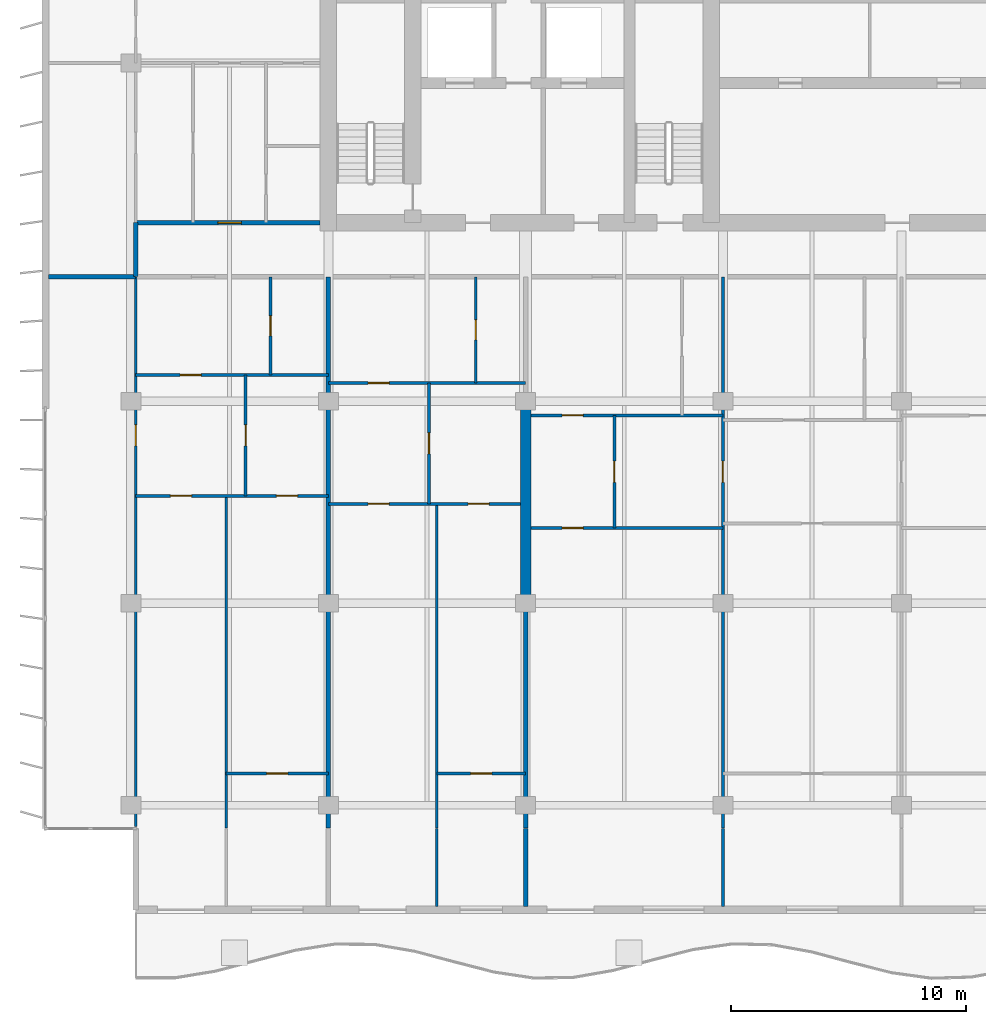
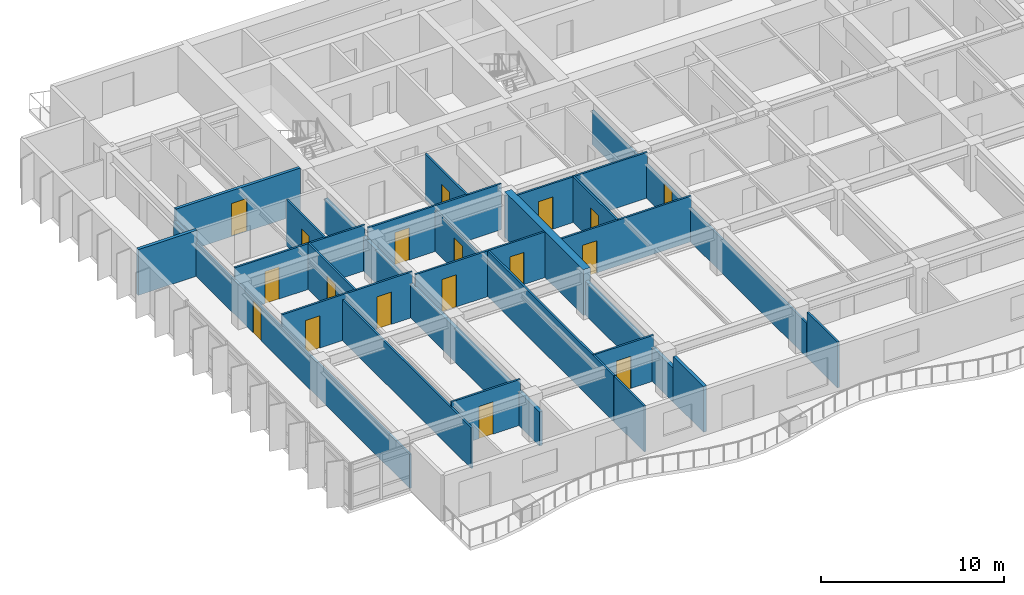
# One storey, part 7 of 16: 26 walls, 18 doors, 18 openings.
"""IFC4 building model written with IfcOpenShell, lengths in metres."""

from ifc_helpers import new_model, si_unit, direction, frame, frame_2d, origin, place, context, subcontext, project, spatial, rectangle, extrude, material, layer, layer_set, type_object, element, fill, save


model = new_model("IFC4")

# Units and contexts
model_context = context("Model", 3, precision=1e-05, world=origin(), true_north=direction((0.0, 1.0)))
body_context = subcontext(model_context, "Body", "Model", "MODEL_VIEW")
ifc_project = project(units=[si_unit("LENGTHUNIT", "METRE"), si_unit("AREAUNIT", "SQUARE_METRE"), si_unit("VOLUMEUNIT", "CUBIC_METRE"), si_unit("PLANEANGLEUNIT", "RADIAN"), si_unit("MASSUNIT", "GRAM", prefix="KILO")], contexts=[model_context])

# Site, building, storey
site_placement = place(None, origin())
site = spatial("IfcSite", under=ifc_project, at=site_placement, CompositionType="ELEMENT")
building_placement = place(site_placement, origin())
building = spatial("IfcBuilding", under=site, at=building_placement, Name="Caelmar Bay Residences", CompositionType="ELEMENT")
storey_placement = place(building_placement, frame((0.0, 0.0, 198.300048828125)))
storey = spatial("IfcBuildingStorey", under=building, at=storey_placement, Name="L55", CompositionType="ELEMENT", Elevation=198.300048828125)

# Walls
ifc_material_1 = material(Name="Concrete f'c 55 MPa (8,000 psi)", Category="concrete")
ifc_layer_1 = layer(ifc_material_1, 0.449951171875)
ifc_layer_set_1 = layer_set([ifc_layer_1], Name="Concrete f'c 55 MPa (8,000 psi)")
wall_type_1 = type_object("IfcWallType", Name="SW-XSLB-450", PredefinedType="SHEAR", material=ifc_layer_set_1)
wall_1_placement = place(storey_placement, frame((26.699951171875, 20.800048828125, 0.0), z_axis=(0.0, 0.0, 1.0), x_axis=(0.0, 1.0, 0.0)))
element("IfcWall", 1, at=wall_1_placement, inside=storey, type_object=wall_type_1, Name="L55 Transverse Cross-Slab Shear Wall W5", PredefinedType="SHEAR", context=body_context, shape_type="SweptSolid", body=[
    extrude(rectangle(XDim=8.599853515625, YDim=0.449951171875, at=frame_2d((4.2998046875, 0.0))), origin(), (0.0, 0.0, 1.0), 3.050048828125),
])
ifc_material_2 = material(Name="Double-stud acoustic fire-rated gypsum partition 180 mm")
ifc_layer_2 = layer(ifc_material_2, 0.179931640625)
ifc_layer_set_2 = layer_set([ifc_layer_2], Name="Double-stud acoustic fire-rated gypsum partition 180 mm")
wall_type_2 = type_object("IfcWallType", Name="W-COR-200", PredefinedType="PARTITIONING", material=ifc_layer_set_2)
wall_2_placement = place(storey_placement, frame((10.10009765625, 34.705078125, 0.0), z_axis=(0.0, 0.0, 1.0), x_axis=(0.0, 1.0, 0.0)))
element("IfcWall", 2, at=wall_2_placement, inside=storey, type_object=wall_type_2, Name="L55 Partition Wall V002", PredefinedType="PARTITIONING", context=body_context, shape_type="SweptSolid", body=[
    extrude(rectangle(XDim=2.294921875, YDim=0.179931640625, at=frame_2d((1.1474609375, 0.0))), origin(), (0.0, 0.0, 1.0), 2.262939453125),
])

# Wall, opening, door
wall_3_placement = place(storey_placement, frame((10.10009765625, 37.0, 0.0), z_axis=(0.0, 0.0, 1.0), x_axis=(1.0, 0.0, 0.0)))
wall_3 = element("IfcWall", 3, at=wall_3_placement, inside=storey, type_object=wall_type_2, Name="L55 Partition Wall H074", PredefinedType="PARTITIONING", context=body_context, shape_type="SweptSolid", body=[
    extrude(rectangle(XDim=7.844970703125, YDim=0.179931640625, at=frame_2d((3.92236328125, 0.0))), origin(), (0.0, 0.0, 1.0), 3.050048828125),
])
opening_1_placement = place(wall_3_placement, frame((3.49609375, 0.0, 0.0)))
opening_1 = element("IfcOpeningElement", 4, at=opening_1_placement, cuts=wall_3, Name="Opening D-L55-162", PredefinedType="OPENING", context=body_context, shape_type="SweptSolid", body=[
    extrude(rectangle(XDim=1.0, YDim=2.199951171875, at=frame_2d((0.5, 1.10009765625))), frame((0.0, 0.099853515625, 0.0), z_axis=(0.0, -1.0, 0.0), x_axis=(1.0, 0.0, 0.0)), (0.0, 0.0, 1.0), 0.199951171875),
])
ifc_material_3 = material(Name="Fire-rated steel and walnut architectural door assembly", Category="steel")
ifc_layer_3 = layer(ifc_material_3, 0.050048828125)
ifc_layer_set_3 = layer_set([ifc_layer_3], Name="Fire-rated steel and walnut architectural door assembly")
door_type_1 = type_object("IfcDoorType", Name="D-UNIT-1000", OperationType="NOTDEFINED", PredefinedType="DOOR", material=ifc_layer_set_3)
door_1_placement = place(opening_1_placement, origin())
door_1 = element("IfcDoor", 5, at=door_1_placement, inside=storey, type_object=door_type_1, Name="L55 Residence WA Kitchen Door", OperationType="SINGLE_SWING_RIGHT", OverallHeight=2.199951171875, OverallWidth=1.0, PredefinedType="DOOR", context=body_context, shape_type="SweptSolid", body=[
    extrude(rectangle(XDim=1.0, YDim=2.199951171875, at=frame_2d((0.5, 1.10009765625))), frame((0.0, 0.02490234375, 0.0), z_axis=(0.0, -1.0, 0.0), x_axis=(1.0, 0.0, 0.0)), (0.0, 0.0, 1.0), 0.050048828125),
])
fill(opening_1, door_1)

ifc_material_4 = material(Name="Acoustic metal-stud gypsum partition 120 mm")
ifc_layer_4 = layer(ifc_material_4, 0.1201171875)
ifc_layer_set_4 = layer_set([ifc_layer_4], Name="Acoustic metal-stud gypsum partition 120 mm")
wall_type_3 = type_object("IfcWallType", Name="W-PRT-120", PredefinedType="PARTITIONING", material=ifc_layer_set_4)
wall_4_placement = place(storey_placement, frame((10.10009765625, 11.284912109375, 0.0), z_axis=(0.0, 0.0, 1.0), x_axis=(0.0, 1.0, 0.0)))
wall_4 = element("IfcWall", 6, at=wall_4_placement, inside=storey, type_object=wall_type_3, Name="L55 Partition Wall V001", PredefinedType="PARTITIONING", context=body_context, shape_type="SweptSolid", body=[
    extrude(rectangle(XDim=23.4150390625, YDim=0.1201171875, at=frame_2d((11.70751953125, 0.0))), origin(), (0.0, 0.0, 1.0), 2.262939453125),
])
opening_2_placement = place(wall_4_placement, frame((16.2099609375, 0.0, 0.0)))
opening_2 = element("IfcOpeningElement", 7, at=opening_2_placement, cuts=wall_4, Name="Opening D-L55-159", PredefinedType="OPENING", context=body_context, shape_type="SweptSolid", body=[
    extrude(rectangle(XDim=0.89990234375, YDim=2.14990234375, at=frame_2d((0.449951171875, 1.074951171875))), frame((0.0, 0.070068359375, 0.0), z_axis=(0.0, -1.0, 0.0), x_axis=(1.0, 0.0, 0.0)), (0.0, 0.0, 1.0), 0.14013671875),
])
ifc_material_5 = material(Name="Solid walnut timber interior door leaf and frame", Category="wood")
ifc_layer_5 = layer(ifc_material_5, 0.050048828125)
ifc_layer_set_5 = layer_set([ifc_layer_5], Name="Solid walnut timber interior door leaf and frame")
door_type_2 = type_object("IfcDoorType", Name="D-ROOM-900", OperationType="NOTDEFINED", PredefinedType="DOOR", material=ifc_layer_set_5)
door_2_placement = place(opening_2_placement, origin())
door_2 = element("IfcDoor", 8, at=door_2_placement, inside=storey, type_object=door_type_2, Name="L55 Residence 01 Penthouse West Salon Door", OperationType="SINGLE_SWING_LEFT", OverallHeight=2.14990234375, OverallWidth=0.89990234375, PredefinedType="DOOR", context=body_context, shape_type="SweptSolid", body=[
    extrude(rectangle(XDim=0.89990234375, YDim=2.14990234375, at=frame_2d((0.449951171875, 1.074951171875))), frame((0.0, 0.02490234375, 0.0), z_axis=(0.0, -1.0, 0.0), x_axis=(1.0, 0.0, 0.0)), (0.0, 0.0, 1.0), 0.050048828125),
])
fill(opening_2, door_2)

# Wall
wall_5_placement = place(storey_placement, frame((13.9541015625, 11.239990234375, 0.0), z_axis=(0.0, 0.0, 1.0), x_axis=(0.0, 1.0, 0.0)))
element("IfcWall", 9, at=wall_5_placement, inside=storey, type_object=wall_type_3, Name="L55 Partition Wall V007", PredefinedType="PARTITIONING", context=body_context, shape_type="SweptSolid", body=[
    extrude(rectangle(XDim=14.130126953125, YDim=0.1201171875, at=frame_2d((7.06494140625, 0.0))), origin(), (0.0, 0.0, 1.0), 2.724853515625),
])

# Wall, opening, door
wall_6_placement = place(storey_placement, frame((14.778076171875, 25.3701171875, 0.0), z_axis=(0.0, 0.0, 1.0), x_axis=(0.0, 1.0, 0.0)))
wall_6 = element("IfcWall", 10, at=wall_6_placement, inside=storey, type_object=wall_type_3, Name="L55 Partition Wall V008", PredefinedType="PARTITIONING", context=body_context, shape_type="SweptSolid", body=[
    extrude(rectangle(XDim=5.14990234375, YDim=0.1201171875, at=frame_2d((2.574951171875, 0.0))), origin(), (0.0, 0.0, 1.0), 3.050048828125),
])
opening_3_placement = place(wall_6_placement, frame((2.125, 0.0, 0.0)))
opening_3 = element("IfcOpeningElement", 11, at=opening_3_placement, cuts=wall_6, Name="Opening D-L55-123", PredefinedType="OPENING", context=body_context, shape_type="SweptSolid", body=[
    extrude(rectangle(XDim=0.89990234375, YDim=2.14990234375, at=frame_2d((0.449951171875, 1.074951171875))), frame((0.0, 0.070068359375, 0.0), z_axis=(0.0, -1.0, 0.0), x_axis=(1.0, 0.0, 0.0)), (0.0, 0.0, 1.0), 0.14013671875),
])
door_3_placement = place(opening_3_placement, origin())
door_3 = element("IfcDoor", 12, at=door_3_placement, inside=storey, type_object=door_type_2, Name="L55 Residence 01 Study Door", OperationType="SINGLE_SWING_LEFT", OverallHeight=2.14990234375, OverallWidth=0.89990234375, PredefinedType="DOOR", context=body_context, shape_type="SweptSolid", body=[
    extrude(rectangle(XDim=0.89990234375, YDim=2.14990234375, at=frame_2d((0.449951171875, 1.074951171875))), frame((0.0, 0.02490234375, 0.0), z_axis=(0.0, -1.0, 0.0), x_axis=(1.0, 0.0, 0.0)), (0.0, 0.0, 1.0), 0.050048828125),
])
fill(opening_3, door_3)

wall_7_placement = place(storey_placement, frame((15.8359375, 30.52001953125, 0.0), z_axis=(0.0, 0.0, 1.0), x_axis=(0.0, 1.0, 0.0)))
wall_7 = element("IfcWall", 13, at=wall_7_placement, inside=storey, type_object=wall_type_3, Name="L55 Partition Wall V010", PredefinedType="PARTITIONING", context=body_context, shape_type="SweptSolid", body=[
    extrude(rectangle(XDim=4.179931640625, YDim=0.1201171875, at=frame_2d((2.08984375, 0.0))), origin(), (0.0, 0.0, 1.0), 3.050048828125),
])
opening_4_placement = place(wall_7_placement, frame((1.6650390625, 0.0, 0.0)))
opening_4 = element("IfcOpeningElement", 14, at=opening_4_placement, cuts=wall_7, Name="Opening D-L55-121", PredefinedType="OPENING", context=body_context, shape_type="SweptSolid", body=[
    extrude(rectangle(XDim=0.85009765625, YDim=2.10009765625, at=frame_2d((0.425048828125, 1.050048828125))), frame((0.0, 0.070068359375, 0.0), z_axis=(0.0, -1.0, 0.0), x_axis=(1.0, 0.0, 0.0)), (0.0, 0.0, 1.0), 0.14013671875),
])
ifc_layer_6 = layer(ifc_material_5, 0.050048828125)
ifc_layer_set_6 = layer_set([ifc_layer_6], Name="Solid walnut timber interior door leaf and frame")
door_type_3 = type_object("IfcDoorType", Name="D-BATH-850", OperationType="NOTDEFINED", PredefinedType="DOOR", material=ifc_layer_set_6)
door_4_placement = place(opening_4_placement, origin())
door_4 = element("IfcDoor", 15, at=door_4_placement, inside=storey, type_object=door_type_3, Name="L55 Residence 01 Bathroom Door", OperationType="SINGLE_SWING_LEFT", OverallHeight=2.10009765625, OverallWidth=0.85009765625, PredefinedType="DOOR", context=body_context, shape_type="SweptSolid", body=[
    extrude(rectangle(XDim=0.85009765625, YDim=2.10009765625, at=frame_2d((0.425048828125, 1.050048828125))), frame((0.0, 0.02490234375, 0.0), z_axis=(0.0, -1.0, 0.0), x_axis=(1.0, 0.0, 0.0)), (0.0, 0.0, 1.0), 0.050048828125),
])
fill(opening_4, door_4)

wall_8_placement = place(storey_placement, frame((22.5859375, 25.030029296875, 0.0), z_axis=(0.0, 0.0, 1.0), x_axis=(0.0, 1.0, 0.0)))
wall_8 = element("IfcWall", 16, at=wall_8_placement, inside=storey, type_object=wall_type_3, Name="L55 Partition Wall V014", PredefinedType="PARTITIONING", context=body_context, shape_type="SweptSolid", body=[
    extrude(rectangle(XDim=5.14990234375, YDim=0.1201171875, at=frame_2d((2.574951171875, 0.0))), origin(), (0.0, 0.0, 1.0), 2.724853515625),
])
opening_5_placement = place(wall_8_placement, frame((2.125, 0.0, 0.0)))
opening_5 = element("IfcOpeningElement", 17, at=opening_5_placement, cuts=wall_8, Name="Opening D-L55-130", PredefinedType="OPENING", context=body_context, shape_type="SweptSolid", body=[
    extrude(rectangle(XDim=0.89990234375, YDim=2.14990234375, at=frame_2d((0.449951171875, 1.074951171875))), frame((0.0, 0.070068359375, 0.0), z_axis=(0.0, -1.0, 0.0), x_axis=(1.0, 0.0, 0.0)), (0.0, 0.0, 1.0), 0.14013671875),
])
door_5_placement = place(opening_5_placement, origin())
door_5 = element("IfcDoor", 18, at=door_5_placement, inside=storey, type_object=door_type_2, Name="L55 Residence 02 Study Door", OperationType="SINGLE_SWING_RIGHT", OverallHeight=2.14990234375, OverallWidth=0.89990234375, PredefinedType="DOOR", context=body_context, shape_type="SweptSolid", body=[
    extrude(rectangle(XDim=0.89990234375, YDim=2.14990234375, at=frame_2d((0.449951171875, 1.074951171875))), frame((0.0, 0.02490234375, 0.0), z_axis=(0.0, -1.0, 0.0), x_axis=(1.0, 0.0, 0.0)), (0.0, 0.0, 1.0), 0.050048828125),
])
fill(opening_5, door_5)

# Walls
wall_9_placement = place(storey_placement, frame((22.919921875, 7.89501953125, 0.0), z_axis=(0.0, 0.0, 1.0), x_axis=(0.0, 1.0, 0.0)))
element("IfcWall", 19, at=wall_9_placement, inside=storey, type_object=wall_type_3, Name="L55 Partition Wall V015", PredefinedType="PARTITIONING", context=body_context, shape_type="SweptSolid", body=[
    extrude(rectangle(XDim=3.304931640625, YDim=0.1201171875, at=frame_2d((1.65234375, 0.0))), origin(), (0.0, 0.0, 1.0), 3.050048828125),
])
wall_10_placement = place(storey_placement, frame((22.919921875, 11.239990234375, 0.0), z_axis=(0.0, 0.0, 1.0), x_axis=(0.0, 1.0, 0.0)))
element("IfcWall", 20, at=wall_10_placement, inside=storey, type_object=wall_type_3, Name="L55 Partition Wall V016", PredefinedType="PARTITIONING", context=body_context, shape_type="SweptSolid", body=[
    extrude(rectangle(XDim=13.7900390625, YDim=0.1201171875, at=frame_2d((6.89501953125, 0.0))), origin(), (0.0, 0.0, 1.0), 3.050048828125),
])

# Wall, opening, door
wall_11_placement = place(storey_placement, frame((24.575927734375, 30.179931640625, 0.0), z_axis=(0.0, 0.0, 1.0), x_axis=(0.0, 1.0, 0.0)))
wall_11 = element("IfcWall", 21, at=wall_11_placement, inside=storey, type_object=wall_type_3, Name="L55 Partition Wall V017", PredefinedType="PARTITIONING", context=body_context, shape_type="SweptSolid", body=[
    extrude(rectangle(XDim=4.52001953125, YDim=0.1201171875, at=frame_2d((2.260009765625, 0.0))), origin(), (0.0, 0.0, 1.0), 3.050048828125),
])
opening_6_placement = place(wall_11_placement, frame((1.8349609375, 0.0, 0.0)))
opening_6 = element("IfcOpeningElement", 22, at=opening_6_placement, cuts=wall_11, Name="Opening D-L55-128", PredefinedType="OPENING", context=body_context, shape_type="SweptSolid", body=[
    extrude(rectangle(XDim=0.85009765625, YDim=2.10009765625, at=frame_2d((0.425048828125, 1.050048828125))), frame((0.0, 0.070068359375, 0.0), z_axis=(0.0, -1.0, 0.0), x_axis=(1.0, 0.0, 0.0)), (0.0, 0.0, 1.0), 0.14013671875),
])
door_6_placement = place(opening_6_placement, origin())
door_6 = element("IfcDoor", 23, at=door_6_placement, inside=storey, type_object=door_type_3, Name="L55 Residence 02 Bathroom Door", OperationType="SINGLE_SWING_RIGHT", OverallHeight=2.10009765625, OverallWidth=0.85009765625, PredefinedType="DOOR", context=body_context, shape_type="SweptSolid", body=[
    extrude(rectangle(XDim=0.85009765625, YDim=2.10009765625, at=frame_2d((0.425048828125, 1.050048828125))), frame((0.0, 0.02490234375, 0.0), z_axis=(0.0, -1.0, 0.0), x_axis=(1.0, 0.0, 0.0)), (0.0, 0.0, 1.0), 0.050048828125),
])
fill(opening_6, door_6)

wall_12_placement = place(storey_placement, frame((30.47998046875, 24.0, 0.0), z_axis=(0.0, 0.0, 1.0), x_axis=(0.0, 1.0, 0.0)))
wall_12 = element("IfcWall", 24, at=wall_12_placement, inside=storey, type_object=wall_type_3, Name="L55 Partition Wall V024", PredefinedType="PARTITIONING", context=body_context, shape_type="SweptSolid", body=[
    extrude(rectangle(XDim=4.800048828125, YDim=0.1201171875, at=frame_2d((2.39990234375, 0.0))), origin(), (0.0, 0.0, 1.0), 3.050048828125),
])
opening_7_placement = place(wall_12_placement, frame((1.949951171875, 0.0, 0.0)))
opening_7 = element("IfcOpeningElement", 25, at=opening_7_placement, cuts=wall_12, Name="Opening D-L55-137", PredefinedType="OPENING", context=body_context, shape_type="SweptSolid", body=[
    extrude(rectangle(XDim=0.89990234375, YDim=2.14990234375, at=frame_2d((0.449951171875, 1.074951171875))), frame((0.0, 0.070068359375, 0.0), z_axis=(0.0, -1.0, 0.0), x_axis=(1.0, 0.0, 0.0)), (0.0, 0.0, 1.0), 0.14013671875),
])
door_7_placement = place(opening_7_placement, origin())
door_7 = element("IfcDoor", 26, at=door_7_placement, inside=storey, type_object=door_type_2, Name="L55 Residence 03 Kitchen Door", OperationType="SINGLE_SWING_LEFT", OverallHeight=2.14990234375, OverallWidth=0.89990234375, PredefinedType="DOOR", context=body_context, shape_type="SweptSolid", body=[
    extrude(rectangle(XDim=0.89990234375, YDim=2.14990234375, at=frame_2d((0.449951171875, 1.074951171875))), frame((0.0, 0.02490234375, 0.0), z_axis=(0.0, -1.0, 0.0), x_axis=(1.0, 0.0, 0.0)), (0.0, 0.0, 1.0), 0.050048828125),
])
fill(opening_7, door_7)

# Wall
wall_13_placement = place(storey_placement, frame((35.10009765625, 7.89501953125, 0.0), z_axis=(0.0, 0.0, 1.0), x_axis=(0.0, 1.0, 0.0)))
element("IfcWall", 27, at=wall_13_placement, inside=storey, type_object=wall_type_3, Name="L55 Partition Wall V026", PredefinedType="PARTITIONING", context=body_context, shape_type="SweptSolid", body=[
    extrude(rectangle(XDim=3.304931640625, YDim=0.1201171875, at=frame_2d((1.65234375, 0.0))), origin(), (0.0, 0.0, 1.0), 3.050048828125),
])

# Wall, opening, door
wall_14_placement = place(storey_placement, frame((35.10009765625, 11.239990234375, 0.0), z_axis=(0.0, 0.0, 1.0), x_axis=(0.0, 1.0, 0.0)))
wall_14 = element("IfcWall", 28, at=wall_14_placement, inside=storey, type_object=wall_type_3, Name="L55 Partition Wall V027", PredefinedType="PARTITIONING", context=body_context, shape_type="SweptSolid", body=[
    extrude(rectangle(XDim=23.4599609375, YDim=0.1201171875, at=frame_2d((11.72998046875, 0.0))), origin(), (0.0, 0.0, 1.0), 2.262939453125),
])
opening_8_placement = place(wall_14_placement, frame((14.7099609375, 0.0, 0.0)))
opening_8 = element("IfcOpeningElement", 29, at=opening_8_placement, cuts=wall_14, Name="Opening D-L55-139", PredefinedType="OPENING", context=body_context, shape_type="SweptSolid", body=[
    extrude(rectangle(XDim=0.89990234375, YDim=2.14990234375, at=frame_2d((0.449951171875, 1.074951171875))), frame((0.0, 0.070068359375, 0.0), z_axis=(0.0, -1.0, 0.0), x_axis=(1.0, 0.0, 0.0)), (0.0, 0.0, 1.0), 0.14013671875),
])
door_8_placement = place(opening_8_placement, origin())
door_8 = element("IfcDoor", 30, at=door_8_placement, inside=storey, type_object=door_type_2, Name="L55 Residence 03 Family Room 1 Door", OperationType="SINGLE_SWING_LEFT", OverallHeight=2.14990234375, OverallWidth=0.89990234375, PredefinedType="DOOR", context=body_context, shape_type="SweptSolid", body=[
    extrude(rectangle(XDim=0.89990234375, YDim=2.14990234375, at=frame_2d((0.449951171875, 1.074951171875))), frame((0.0, 0.02490234375, 0.0), z_axis=(0.0, -1.0, 0.0), x_axis=(1.0, 0.0, 0.0)), (0.0, 0.0, 1.0), 0.050048828125),
])
fill(opening_8, door_8)

wall_15_placement = place(storey_placement, frame((13.9541015625, 13.550048828125, 0.0), z_axis=(0.0, 0.0, 1.0), x_axis=(1.0, 0.0, 0.0)))
wall_15 = element("IfcWall", 31, at=wall_15_placement, inside=storey, type_object=wall_type_3, Name="L55 Partition Wall H053", PredefinedType="PARTITIONING", context=body_context, shape_type="SweptSolid", body=[
    extrude(rectangle(XDim=4.345947265625, YDim=0.1201171875, at=frame_2d((2.1728515625, 0.0))), origin(), (0.0, 0.0, 1.0), 3.050048828125),
])
opening_9_placement = place(wall_15_placement, frame((1.722900390625, 0.0, 0.0)))
opening_9 = element("IfcOpeningElement", 32, at=opening_9_placement, cuts=wall_15, Name="Opening D-L55-126", PredefinedType="OPENING", context=body_context, shape_type="SweptSolid", body=[
    extrude(rectangle(XDim=0.89990234375, YDim=2.14990234375, at=frame_2d((0.449951171875, 1.074951171875))), frame((0.0, 0.070068359375, 0.0), z_axis=(0.0, -1.0, 0.0), x_axis=(1.0, 0.0, 0.0)), (0.0, 0.0, 1.0), 0.14013671875),
])
door_9_placement = place(opening_9_placement, origin())
door_9 = element("IfcDoor", 33, at=door_9_placement, inside=storey, type_object=door_type_2, Name="L55 Residence 01 Primary Bedroom Door", OperationType="SINGLE_SWING_RIGHT", OverallHeight=2.14990234375, OverallWidth=0.89990234375, PredefinedType="DOOR", context=body_context, shape_type="SweptSolid", body=[
    extrude(rectangle(XDim=0.89990234375, YDim=2.14990234375, at=frame_2d((0.449951171875, 1.074951171875))), frame((0.0, 0.02490234375, 0.0), z_axis=(0.0, -1.0, 0.0), x_axis=(1.0, 0.0, 0.0)), (0.0, 0.0, 1.0), 0.050048828125),
])
fill(opening_9, door_9)

wall_16_placement = place(storey_placement, frame((22.919921875, 13.550048828125, 0.0), z_axis=(0.0, 0.0, 1.0), x_axis=(1.0, 0.0, 0.0)))
wall_16 = element("IfcWall", 34, at=wall_16_placement, inside=storey, type_object=wall_type_3, Name="L55 Partition Wall H054", PredefinedType="PARTITIONING", context=body_context, shape_type="SweptSolid", body=[
    extrude(rectangle(XDim=3.780029296875, YDim=0.1201171875, at=frame_2d((1.89013671875, 0.0))), origin(), (0.0, 0.0, 1.0), 3.050048828125),
])
opening_10_placement = place(wall_16_placement, frame((1.43994140625, 0.0, 0.0)))
opening_10 = element("IfcOpeningElement", 35, at=opening_10_placement, cuts=wall_16, Name="Opening D-L55-133", PredefinedType="OPENING", context=body_context, shape_type="SweptSolid", body=[
    extrude(rectangle(XDim=0.89990234375, YDim=2.14990234375, at=frame_2d((0.449951171875, 1.074951171875))), frame((0.0, 0.070068359375, 0.0), z_axis=(0.0, -1.0, 0.0), x_axis=(1.0, 0.0, 0.0)), (0.0, 0.0, 1.0), 0.14013671875),
])
door_10_placement = place(opening_10_placement, origin())
door_10 = element("IfcDoor", 36, at=door_10_placement, inside=storey, type_object=door_type_2, Name="L55 Residence 02 Primary Bedroom Door", OperationType="SINGLE_SWING_LEFT", OverallHeight=2.14990234375, OverallWidth=0.89990234375, PredefinedType="DOOR", context=body_context, shape_type="SweptSolid", body=[
    extrude(rectangle(XDim=0.89990234375, YDim=2.14990234375, at=frame_2d((0.449951171875, 1.074951171875))), frame((0.0, 0.02490234375, 0.0), z_axis=(0.0, -1.0, 0.0), x_axis=(1.0, 0.0, 0.0)), (0.0, 0.0, 1.0), 0.050048828125),
])
fill(opening_10, door_10)

wall_17_placement = place(storey_placement, frame((26.919921875, 24.0, 0.0), z_axis=(0.0, 0.0, 1.0), x_axis=(1.0, 0.0, 0.0)))
wall_17 = element("IfcWall", 37, at=wall_17_placement, inside=storey, type_object=wall_type_3, Name="L55 Partition Wall H057", PredefinedType="PARTITIONING", context=body_context, shape_type="SweptSolid", body=[
    extrude(rectangle(XDim=8.18017578125, YDim=0.1201171875, at=frame_2d((4.090087890625, 0.0))), origin(), (0.0, 0.0, 1.0), 3.050048828125),
])
opening_11_placement = place(wall_17_placement, frame((1.330078125, 0.0, 0.0)))
opening_11 = element("IfcOpeningElement", 38, at=opening_11_placement, cuts=wall_17, Name="Opening D-L55-138", PredefinedType="OPENING", context=body_context, shape_type="SweptSolid", body=[
    extrude(rectangle(XDim=0.89990234375, YDim=2.14990234375, at=frame_2d((0.449951171875, 1.074951171875))), frame((0.0, 0.070068359375, 0.0), z_axis=(0.0, -1.0, 0.0), x_axis=(1.0, 0.0, 0.0)), (0.0, 0.0, 1.0), 0.14013671875),
])
door_11_placement = place(opening_11_placement, origin())
door_11 = element("IfcDoor", 39, at=door_11_placement, inside=storey, type_object=door_type_2, Name="L55 Residence 03 Penthouse Living Salon Door", OperationType="SINGLE_SWING_RIGHT", OverallHeight=2.14990234375, OverallWidth=0.89990234375, PredefinedType="DOOR", context=body_context, shape_type="SweptSolid", body=[
    extrude(rectangle(XDim=0.89990234375, YDim=2.14990234375, at=frame_2d((0.449951171875, 1.074951171875))), frame((0.0, 0.02490234375, 0.0), z_axis=(0.0, -1.0, 0.0), x_axis=(1.0, 0.0, 0.0)), (0.0, 0.0, 1.0), 0.050048828125),
])
fill(opening_11, door_11)

# Wall, openings, doors
wall_18_placement = place(storey_placement, frame((18.300048828125, 25.030029296875, 0.0), z_axis=(0.0, 0.0, 1.0), x_axis=(1.0, 0.0, 0.0)))
wall_18 = element("IfcWall", 40, at=wall_18_placement, inside=storey, type_object=wall_type_3, Name="L55 Partition Wall H062", PredefinedType="PARTITIONING", context=body_context, shape_type="SweptSolid", body=[
    extrude(rectangle(XDim=8.179931640625, YDim=0.1201171875, at=frame_2d((4.08984375, 0.0))), origin(), (0.0, 0.0, 1.0), 3.050048828125),
])
opening_12_placement = place(wall_18_placement, frame((1.693115234375, 0.0, 0.0)))
opening_12 = element("IfcOpeningElement", 41, at=opening_12_placement, cuts=wall_18, Name="Opening D-L55-131", PredefinedType="OPENING", context=body_context, shape_type="SweptSolid", body=[
    extrude(rectangle(XDim=0.89990234375, YDim=2.14990234375, at=frame_2d((0.449951171875, 1.074951171875))), frame((0.0, 0.070068359375, 0.0), z_axis=(0.0, -1.0, 0.0), x_axis=(1.0, 0.0, 0.0)), (0.0, 0.0, 1.0), 0.14013671875),
])
opening_13_placement = place(wall_18_placement, frame((5.949951171875, 0.0, 0.0)))
opening_13 = element("IfcOpeningElement", 42, at=opening_13_placement, cuts=wall_18, Name="Opening D-L55-132", PredefinedType="OPENING", context=body_context, shape_type="SweptSolid", body=[
    extrude(rectangle(XDim=0.89990234375, YDim=2.14990234375, at=frame_2d((0.449951171875, 1.074951171875))), frame((0.0, 0.070068359375, 0.0), z_axis=(0.0, -1.0, 0.0), x_axis=(1.0, 0.0, 0.0)), (0.0, 0.0, 1.0), 0.14013671875),
])
door_12_placement = place(opening_12_placement, origin())
door_12 = element("IfcDoor", 43, at=door_12_placement, inside=storey, type_object=door_type_2, Name="L55 Residence 02 Penthouse Living Salon Door", OperationType="SINGLE_SWING_LEFT", OverallHeight=2.14990234375, OverallWidth=0.89990234375, PredefinedType="DOOR", context=body_context, shape_type="SweptSolid", body=[
    extrude(rectangle(XDim=0.89990234375, YDim=2.14990234375, at=frame_2d((0.449951171875, 1.074951171875))), frame((0.0, 0.02490234375, 0.0), z_axis=(0.0, -1.0, 0.0), x_axis=(1.0, 0.0, 0.0)), (0.0, 0.0, 1.0), 0.050048828125),
])
fill(opening_12, door_12)
door_13_placement = place(opening_13_placement, origin())
door_13 = element("IfcDoor", 44, at=door_13_placement, inside=storey, type_object=door_type_2, Name="L55 Residence 02 Penthouse Sitting Room Door", OperationType="SINGLE_SWING_RIGHT", OverallHeight=2.14990234375, OverallWidth=0.89990234375, PredefinedType="DOOR", context=body_context, shape_type="SweptSolid", body=[
    extrude(rectangle(XDim=0.89990234375, YDim=2.14990234375, at=frame_2d((0.449951171875, 1.074951171875))), frame((0.0, 0.02490234375, 0.0), z_axis=(0.0, -1.0, 0.0), x_axis=(1.0, 0.0, 0.0)), (0.0, 0.0, 1.0), 0.050048828125),
])
fill(opening_13, door_13)

wall_19_placement = place(storey_placement, frame((10.10009765625, 25.3701171875, 0.0), z_axis=(0.0, 0.0, 1.0), x_axis=(1.0, 0.0, 0.0)))
wall_19 = element("IfcWall", 45, at=wall_19_placement, inside=storey, type_object=wall_type_3, Name="L55 Partition Wall H063", PredefinedType="PARTITIONING", context=body_context, shape_type="SweptSolid", body=[
    extrude(rectangle(XDim=8.199951171875, YDim=0.1201171875, at=frame_2d((4.10009765625, 0.0))), origin(), (0.0, 0.0, 1.0), 3.050048828125),
])
opening_14_placement = place(wall_19_placement, frame((1.47705078125, 0.0, 0.0)))
opening_14 = element("IfcOpeningElement", 46, at=opening_14_placement, cuts=wall_19, Name="Opening D-L55-124", PredefinedType="OPENING", context=body_context, shape_type="SweptSolid", body=[
    extrude(rectangle(XDim=0.89990234375, YDim=2.14990234375, at=frame_2d((0.449951171875, 1.074951171875))), frame((0.0, 0.070068359375, 0.0), z_axis=(0.0, -1.0, 0.0), x_axis=(1.0, 0.0, 0.0)), (0.0, 0.0, 1.0), 0.14013671875),
])
opening_15_placement = place(wall_19_placement, frame((5.989013671875, 0.0, 0.0)))
opening_15 = element("IfcOpeningElement", 47, at=opening_15_placement, cuts=wall_19, Name="Opening D-L55-125", PredefinedType="OPENING", context=body_context, shape_type="SweptSolid", body=[
    extrude(rectangle(XDim=0.89990234375, YDim=2.14990234375, at=frame_2d((0.449951171875, 1.074951171875))), frame((0.0, 0.070068359375, 0.0), z_axis=(0.0, -1.0, 0.0), x_axis=(1.0, 0.0, 0.0)), (0.0, 0.0, 1.0), 0.14013671875),
])
door_14_placement = place(opening_14_placement, origin())
door_14 = element("IfcDoor", 48, at=door_14_placement, inside=storey, type_object=door_type_2, Name="L55 Residence 01 Living Room Door", OperationType="SINGLE_SWING_RIGHT", OverallHeight=2.14990234375, OverallWidth=0.89990234375, PredefinedType="DOOR", context=body_context, shape_type="SweptSolid", body=[
    extrude(rectangle(XDim=0.89990234375, YDim=2.14990234375, at=frame_2d((0.449951171875, 1.074951171875))), frame((0.0, 0.02490234375, 0.0), z_axis=(0.0, -1.0, 0.0), x_axis=(1.0, 0.0, 0.0)), (0.0, 0.0, 1.0), 0.050048828125),
])
fill(opening_14, door_14)
door_15_placement = place(opening_15_placement, origin())
door_15 = element("IfcDoor", 49, at=door_15_placement, inside=storey, type_object=door_type_2, Name="L55 Residence 01 Penthouse Sitting Room Door", OperationType="SINGLE_SWING_LEFT", OverallHeight=2.14990234375, OverallWidth=0.89990234375, PredefinedType="DOOR", context=body_context, shape_type="SweptSolid", body=[
    extrude(rectangle(XDim=0.89990234375, YDim=2.14990234375, at=frame_2d((0.449951171875, 1.074951171875))), frame((0.0, 0.02490234375, 0.0), z_axis=(0.0, -1.0, 0.0), x_axis=(1.0, 0.0, 0.0)), (0.0, 0.0, 1.0), 0.050048828125),
])
fill(opening_15, door_15)

# Wall, opening, door
wall_20_placement = place(storey_placement, frame((26.919921875, 28.800048828125, 0.0), z_axis=(0.0, 0.0, 1.0), x_axis=(1.0, 0.0, 0.0)))
wall_20 = element("IfcWall", 50, at=wall_20_placement, inside=storey, type_object=wall_type_3, Name="L55 Partition Wall H066", PredefinedType="PARTITIONING", context=body_context, shape_type="SweptSolid", body=[
    extrude(rectangle(XDim=8.175048828125, YDim=0.1201171875, at=frame_2d((4.08740234375, 0.0))), origin(), (0.0, 0.0, 1.0), 3.050048828125),
])
opening_16_placement = place(wall_20_placement, frame((1.330078125, 0.0, 0.0)))
opening_16 = element("IfcOpeningElement", 51, at=opening_16_placement, cuts=wall_20, Name="Opening D-L55-136", PredefinedType="OPENING", context=body_context, shape_type="SweptSolid", body=[
    extrude(rectangle(XDim=0.89990234375, YDim=2.14990234375, at=frame_2d((0.449951171875, 1.074951171875))), frame((0.0, 0.070068359375, 0.0), z_axis=(0.0, -1.0, 0.0), x_axis=(1.0, 0.0, 0.0)), (0.0, 0.0, 1.0), 0.14013671875),
])
door_16_placement = place(opening_16_placement, origin())
door_16 = element("IfcDoor", 52, at=door_16_placement, inside=storey, type_object=door_type_2, Name="L55 Residence 03 Dining Room Door", OperationType="SINGLE_SWING_RIGHT", OverallHeight=2.14990234375, OverallWidth=0.89990234375, PredefinedType="DOOR", context=body_context, shape_type="SweptSolid", body=[
    extrude(rectangle(XDim=0.89990234375, YDim=2.14990234375, at=frame_2d((0.449951171875, 1.074951171875))), frame((0.0, 0.02490234375, 0.0), z_axis=(0.0, -1.0, 0.0), x_axis=(1.0, 0.0, 0.0)), (0.0, 0.0, 1.0), 0.050048828125),
])
fill(opening_16, door_16)

wall_21_placement = place(storey_placement, frame((18.300048828125, 30.179931640625, 0.0), z_axis=(0.0, 0.0, 1.0), x_axis=(1.0, 0.0, 0.0)))
wall_21 = element("IfcWall", 53, at=wall_21_placement, inside=storey, type_object=wall_type_3, Name="L55 Partition Wall H069", PredefinedType="PARTITIONING", context=body_context, shape_type="SweptSolid", body=[
    extrude(rectangle(XDim=8.39990234375, YDim=0.1201171875, at=frame_2d((4.199951171875, 0.0))), origin(), (0.0, 0.0, 1.0), 3.050048828125),
])
opening_17_placement = place(wall_21_placement, frame((1.693115234375, 0.0, 0.0)))
opening_17 = element("IfcOpeningElement", 54, at=opening_17_placement, cuts=wall_21, Name="Opening D-L55-129", PredefinedType="OPENING", context=body_context, shape_type="SweptSolid", body=[
    extrude(rectangle(XDim=0.89990234375, YDim=2.14990234375, at=frame_2d((0.449951171875, 1.074951171875))), frame((0.0, 0.070068359375, 0.0), z_axis=(0.0, -1.0, 0.0), x_axis=(1.0, 0.0, 0.0)), (0.0, 0.0, 1.0), 0.14013671875),
])
door_17_placement = place(opening_17_placement, origin())
door_17 = element("IfcDoor", 55, at=door_17_placement, inside=storey, type_object=door_type_2, Name="L55 Residence 02 Kitchen Door", OperationType="SINGLE_SWING_LEFT", OverallHeight=2.14990234375, OverallWidth=0.89990234375, PredefinedType="DOOR", context=body_context, shape_type="SweptSolid", body=[
    extrude(rectangle(XDim=0.89990234375, YDim=2.14990234375, at=frame_2d((0.449951171875, 1.074951171875))), frame((0.0, 0.02490234375, 0.0), z_axis=(0.0, -1.0, 0.0), x_axis=(1.0, 0.0, 0.0)), (0.0, 0.0, 1.0), 0.050048828125),
])
fill(opening_17, door_17)

wall_22_placement = place(storey_placement, frame((10.10009765625, 30.52001953125, 0.0), z_axis=(0.0, 0.0, 1.0), x_axis=(1.0, 0.0, 0.0)))
wall_22 = element("IfcWall", 56, at=wall_22_placement, inside=storey, type_object=wall_type_3, Name="L55 Partition Wall H070", PredefinedType="PARTITIONING", context=body_context, shape_type="SweptSolid", body=[
    extrude(rectangle(XDim=8.199951171875, YDim=0.1201171875, at=frame_2d((4.10009765625, 0.0))), origin(), (0.0, 0.0, 1.0), 3.050048828125),
])
opening_18_placement = place(wall_22_placement, frame((1.888916015625, 0.0, 0.0)))
opening_18 = element("IfcOpeningElement", 57, at=opening_18_placement, cuts=wall_22, Name="Opening D-L55-122", PredefinedType="OPENING", context=body_context, shape_type="SweptSolid", body=[
    extrude(rectangle(XDim=0.89990234375, YDim=2.14990234375, at=frame_2d((0.449951171875, 1.074951171875))), frame((0.0, 0.070068359375, 0.0), z_axis=(0.0, -1.0, 0.0), x_axis=(1.0, 0.0, 0.0)), (0.0, 0.0, 1.0), 0.14013671875),
])
door_18_placement = place(opening_18_placement, origin())
door_18 = element("IfcDoor", 58, at=door_18_placement, inside=storey, type_object=door_type_2, Name="L55 Residence 01 Kitchen Door", OperationType="SINGLE_SWING_RIGHT", OverallHeight=2.14990234375, OverallWidth=0.89990234375, PredefinedType="DOOR", context=body_context, shape_type="SweptSolid", body=[
    extrude(rectangle(XDim=0.89990234375, YDim=2.14990234375, at=frame_2d((0.449951171875, 1.074951171875))), frame((0.0, 0.02490234375, 0.0), z_axis=(0.0, -1.0, 0.0), x_axis=(1.0, 0.0, 0.0)), (0.0, 0.0, 1.0), 0.050048828125),
])
fill(opening_18, door_18)

# Walls
ifc_material_6 = material(Name="Acoustic twin-stud fire-rated inter-tenancy partition 200 mm")
ifc_layer_7 = layer(ifc_material_6, 0.199951171875)
ifc_layer_set_7 = layer_set([ifc_layer_7], Name="Acoustic twin-stud fire-rated inter-tenancy partition 200 mm")
wall_type_4 = type_object("IfcWallType", Name="W-PTY-200", PredefinedType="PARTITIONING", material=ifc_layer_set_7)
wall_23_placement = place(storey_placement, frame((18.300048828125, 11.239990234375, 0.0), z_axis=(0.0, 0.0, 1.0), x_axis=(0.0, 1.0, 0.0)))
element("IfcWall", 59, at=wall_23_placement, inside=storey, type_object=wall_type_4, Name="L55 Partition Wall V012", PredefinedType="PARTITIONING", context=body_context, shape_type="SweptSolid", body=[
    extrude(rectangle(XDim=23.4599609375, YDim=0.199951171875, at=frame_2d((11.72998046875, 0.0))), origin(), (0.0, 0.0, 1.0), 2.262939453125),
])
wall_24_placement = place(storey_placement, frame((26.699951171875, 7.89501953125, 0.0), z_axis=(0.0, 0.0, 1.0), x_axis=(0.0, 1.0, 0.0)))
element("IfcWall", 60, at=wall_24_placement, inside=storey, type_object=wall_type_4, Name="L55 Partition Wall V019", PredefinedType="PARTITIONING", context=body_context, shape_type="SweptSolid", body=[
    extrude(rectangle(XDim=3.304931640625, YDim=0.199951171875, at=frame_2d((1.65234375, 0.0))), origin(), (0.0, 0.0, 1.0), 3.050048828125),
])
wall_25_placement = place(storey_placement, frame((26.699951171875, 11.239990234375, 0.0), z_axis=(0.0, 0.0, 1.0), x_axis=(0.0, 1.0, 0.0)))
element("IfcWall", 61, at=wall_25_placement, inside=storey, type_object=wall_type_4, Name="L55 Partition Wall V020", PredefinedType="PARTITIONING", context=body_context, shape_type="SweptSolid", body=[
    extrude(rectangle(XDim=9.554931640625, YDim=0.199951171875, at=frame_2d((4.77734375, 0.0))), origin(), (0.0, 0.0, 1.0), 2.262939453125),
])
wall_26_placement = place(storey_placement, frame((6.39501953125, 34.699951171875, 0.0), z_axis=(0.0, 0.0, 1.0), x_axis=(1.0, 0.0, 0.0)))
element("IfcWall", 62, at=wall_26_placement, inside=storey, type_object=wall_type_4, Name="L55 Partition Wall H071", PredefinedType="PARTITIONING", context=body_context, shape_type="SweptSolid", body=[
    extrude(rectangle(XDim=3.705078125, YDim=0.199951171875, at=frame_2d((1.8525390625, 0.0))), origin(), (0.0, 0.0, 1.0), 3.050048828125),
])

save(model, "model.ifc")
